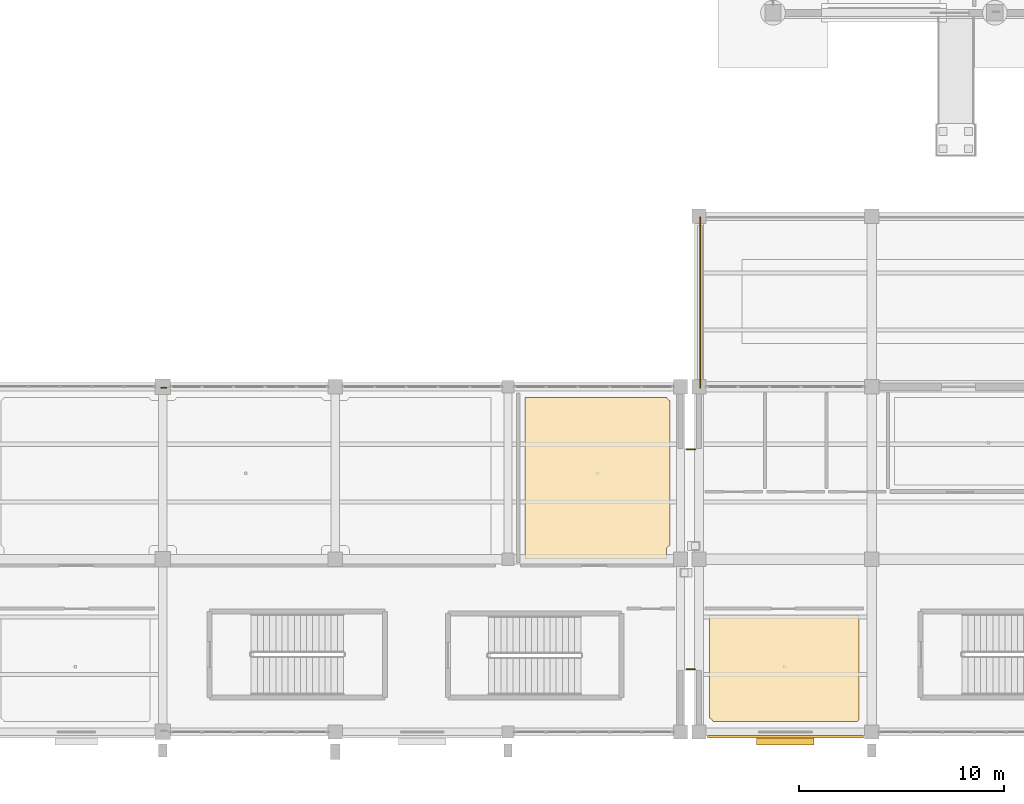
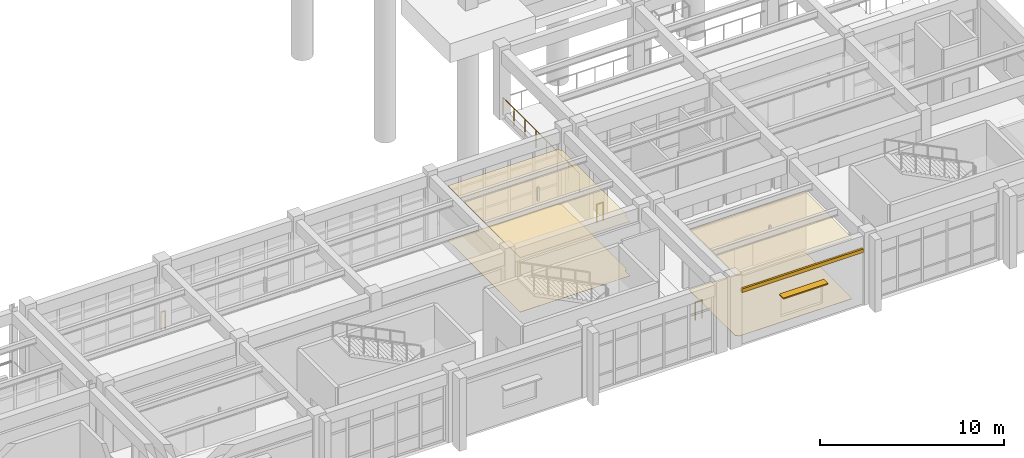
# One storey, part 89 of 98: 5 coverings, 4 railings, 1 shading device.
"""IFC4 building model written with IfcOpenShell, lengths in metres."""

from ifc_helpers import new_model, si_unit, direction, frame, origin, origin_2d, place, context, subcontext, project, spatial, polyline, rectangle, circle, outline, extrude, material, layer, layer_set, type_object, element, save


model = new_model("IFC4")

# Units and contexts
model_context = context("Model", 3, precision=1e-05, world=origin(), true_north=direction((0.0, 1.0)))
body_context = subcontext(model_context, "Body", "Model", "MODEL_VIEW")
ifc_project = project(units=[si_unit("LENGTHUNIT", "METRE"), si_unit("AREAUNIT", "SQUARE_METRE"), si_unit("VOLUMEUNIT", "CUBIC_METRE"), si_unit("PLANEANGLEUNIT", "RADIAN"), si_unit("MASSUNIT", "GRAM", prefix="KILO")], contexts=[model_context])

# Site, building, storey
site_placement = place(None, origin())
site = spatial("IfcSite", under=ifc_project, at=site_placement, CompositionType="ELEMENT")
building_placement = place(site_placement, origin())
building = spatial("IfcBuilding", under=site, at=building_placement, Name="Canglan Escarpment Cableway Terminal", CompositionType="ELEMENT")
storey_placement = place(building_placement, frame((0.0, 0.0, 9.60009765625)))
storey = spatial("IfcBuildingStorey", under=building, at=storey_placement, Name="L02", CompositionType="ELEMENT", Elevation=9.60009765625)

# Coverings
ifc_material_1 = material(Name="Micro-perforated acoustic aluminium ceiling", Category="aluminium")
ifc_layer_1 = layer(ifc_material_1, 0.0400390625, Name="Micro-perforated acoustic aluminium ceiling")
ifc_layer_set_1 = layer_set([ifc_layer_1], Name="Micro-perforated acoustic aluminium ceiling")
covering_type_1 = type_object("IfcCoveringType", Name="COV-CEIL-ACOUSTIC-40", PredefinedType="CEILING", material=ifc_layer_set_1)
covering_1_placement = place(storey_placement, frame((0.0, 0.0, 3.599853515625)))
element("IfcCovering", 1, at=covering_1_placement, inside=storey, type_object=covering_type_1, Name="Staff Changing and Welfare Suite suspended acoustic ceiling", PredefinedType="CEILING", context=body_context, shape_type="SweptSolid", body=[
    extrude(outline(polyline([(109.9140625, 24.280029296875), (109.916015625, 24.27978515625), (109.917724609375, 24.279541015625), (109.919677734375, 24.279296875), (109.92138671875, 24.278564453125), (109.923095703125, 24.27783203125), (109.9248046875, 24.27685546875), (109.92626953125, 24.27587890625), (109.927734375, 24.274658203125), (109.928955078125, 24.273193359375), (109.93017578125, 24.271728515625), (109.93115234375, 24.270263671875), (109.93212890625, 24.2685546875), (109.932861328125, 24.2666015625), (109.9365234375, 24.25634765625), (109.93701171875, 24.25537109375), (109.94580078125, 24.23681640625), (109.9462890625, 24.23583984375), (109.956787109375, 24.21826171875), (109.95751953125, 24.21728515625), (109.969482421875, 24.20068359375), (109.97021484375, 24.2001953125), (109.984130859375, 24.184814453125), (109.98486328125, 24.18408203125), (110.0, 24.17041015625), (110.000732421875, 24.169677734375), (110.017333984375, 24.157470703125), (110.018310546875, 24.15673828125), (110.035888671875, 24.146240234375), (110.03662109375, 24.145751953125), (110.055419921875, 24.136962890625), (110.056396484375, 24.13671875), (110.066650390625, 24.1328125), (110.068603515625, 24.132080078125), (110.0703125, 24.131103515625), (110.07177734375, 24.130126953125), (110.0732421875, 24.12890625), (110.07470703125, 24.127685546875), (110.07568359375, 24.126220703125), (110.076904296875, 24.124755859375), (110.077880859375, 24.123046875), (110.07861328125, 24.121337890625), (110.0791015625, 24.11962890625), (110.07958984375, 24.117919921875), (110.079833984375, 24.115966796875), (110.080078125, 24.114013671875), (110.080078125, 17.0859375), (110.079833984375, 17.083984375), (110.07958984375, 17.082275390625), (110.0791015625, 17.080322265625), (110.07861328125, 17.07861328125), (110.077880859375, 17.076904296875), (110.076904296875, 17.0751953125), (110.07568359375, 17.07373046875), (110.07470703125, 17.072265625), (110.0732421875, 17.071044921875), (110.07177734375, 17.06982421875), (110.0703125, 17.06884765625), (110.068603515625, 17.06787109375), (110.066650390625, 17.067138671875), (110.056396484375, 17.0634765625), (110.055419921875, 17.06298828125), (110.03662109375, 17.05419921875), (110.035888671875, 17.0537109375), (110.018310546875, 17.043212890625), (110.017333984375, 17.04248046875), (110.000732421875, 17.030517578125), (110.0, 17.02978515625), (109.98486328125, 17.015869140625), (109.984130859375, 17.01513671875), (109.97021484375, 17.0), (109.969482421875, 16.999267578125), (109.95751953125, 16.982666015625), (109.956787109375, 16.981689453125), (109.9462890625, 16.964111328125), (109.94580078125, 16.96337890625), (109.93701171875, 16.944580078125), (109.9365234375, 16.943603515625), (109.9296875, 16.92431640625), (109.929443359375, 16.92333984375), (109.92431640625, 16.9033203125), (109.92431640625, 16.90234375), (109.921142578125, 16.882080078125), (109.9208984375, 16.881103515625), (109.919921875, 16.860107421875), (109.919921875, 16.85986328125), (109.919921875, 16.43994140625), (109.919921875, 16.43798828125), (109.919677734375, 16.43603515625), (109.919189453125, 16.43408203125), (109.91845703125, 16.432373046875), (109.91748046875, 16.4306640625), (109.91650390625, 16.428955078125), (109.91552734375, 16.42724609375), (109.9140625, 16.42578125), (109.91259765625, 16.424560546875), (109.9111328125, 16.42333984375), (109.909423828125, 16.42236328125), (109.90771484375, 16.42138671875), (109.90576171875, 16.4208984375), (109.90380859375, 16.42041015625), (109.902099609375, 16.420166015625), (109.89990234375, 16.419921875), (103.0400390625, 16.419921875), (103.0380859375, 16.420166015625), (103.0361328125, 16.42041015625), (103.0341796875, 16.4208984375), (103.0322265625, 16.42138671875), (103.030517578125, 16.42236328125), (103.02880859375, 16.42333984375), (103.02734375, 16.424560546875), (103.02587890625, 16.42578125), (103.0244140625, 16.42724609375), (103.0234375, 16.428955078125), (103.0224609375, 16.4306640625), (103.021484375, 16.432373046875), (103.02099609375, 16.43408203125), (103.0205078125, 16.43603515625), (103.02001953125, 16.43798828125), (103.02001953125, 16.43994140625), (103.02001953125, 24.260009765625), (103.02001953125, 24.261962890625), (103.0205078125, 24.263916015625), (103.02099609375, 24.265869140625), (103.021484375, 24.267578125), (103.0224609375, 24.269287109375), (103.0234375, 24.27099609375), (103.0244140625, 24.272705078125), (103.02587890625, 24.274169921875), (103.02734375, 24.275390625), (103.02880859375, 24.276611328125), (103.030517578125, 24.277587890625), (103.0322265625, 24.278564453125), (103.0341796875, 24.279052734375), (103.0361328125, 24.279541015625), (103.0380859375, 24.27978515625), (103.0400390625, 24.280029296875), (109.9140625, 24.280029296875)])), origin(), (0.0, 0.0, 1.0), 0.0400390625),
])
covering_2_placement = place(storey_placement, frame((0.0, 0.0, 4.0)))
element("IfcCovering", 2, at=covering_2_placement, inside=storey, type_object=covering_type_1, Name="First Aid Station suspended acoustic ceiling", PredefinedType="CEILING", context=body_context, shape_type="SweptSolid", body=[
    extrude(outline(polyline([(112.033203125, 8.667236328125), (112.031494140625, 8.66796875), (112.02978515625, 8.668701171875), (112.0283203125, 8.669921875), (112.02685546875, 8.6708984375), (112.025390625, 8.67236328125), (112.024169921875, 8.673583984375), (112.023193359375, 8.67529296875), (112.022216796875, 8.677001953125), (112.021484375, 8.6787109375), (112.020751953125, 8.680419921875), (112.0205078125, 8.68212890625), (112.02001953125, 8.68408203125), (112.02001953125, 8.68603515625), (112.02001953125, 13.659912109375), (112.02001953125, 13.662109375), (112.0205078125, 13.663818359375), (112.02099609375, 13.665771484375), (112.021484375, 13.667724609375), (112.0224609375, 13.66943359375), (112.0234375, 13.671142578125), (112.0244140625, 13.672607421875), (112.02587890625, 13.674072265625), (112.02734375, 13.675537109375), (112.02880859375, 13.676513671875), (112.030517578125, 13.677490234375), (112.0322265625, 13.678466796875), (112.0341796875, 13.67919921875), (112.0361328125, 13.6796875), (112.0380859375, 13.679931640625), (112.0400390625, 13.679931640625), (119.260009765625, 13.679931640625), (119.261962890625, 13.679931640625), (119.263916015625, 13.6796875), (119.265869140625, 13.67919921875), (119.267578125, 13.678466796875), (119.269287109375, 13.677490234375), (119.27099609375, 13.676513671875), (119.272705078125, 13.675537109375), (119.274169921875, 13.674072265625), (119.275390625, 13.672607421875), (119.276611328125, 13.671142578125), (119.277587890625, 13.66943359375), (119.278564453125, 13.667724609375), (119.279052734375, 13.665771484375), (119.279541015625, 13.663818359375), (119.27978515625, 13.662109375), (119.280029296875, 13.659912109375), (119.280029296875, 8.618408203125), (119.27978515625, 8.6162109375), (119.279541015625, 8.6142578125), (119.279052734375, 8.6123046875), (119.2783203125, 8.610107421875), (119.27734375, 8.6083984375), (119.276123046875, 8.606689453125), (119.27490234375, 8.60498046875), (119.270263671875, 8.599853515625), (119.26953125, 8.59912109375), (119.25732421875, 8.58251953125), (119.2568359375, 8.581787109375), (119.24609375, 8.564208984375), (119.245849609375, 8.563232421875), (119.237060546875, 8.544677734375), (119.236572265625, 8.543701171875), (119.23291015625, 8.533203125), (119.232177734375, 8.531494140625), (119.231201171875, 8.52978515625), (119.230224609375, 8.5283203125), (119.22900390625, 8.52685546875), (119.227783203125, 8.525390625), (119.226318359375, 8.524169921875), (119.224609375, 8.523193359375), (119.22314453125, 8.522216796875), (119.221435546875, 8.521484375), (119.219482421875, 8.520751953125), (119.2177734375, 8.5205078125), (119.2158203125, 8.52001953125), (119.214111328125, 8.52001953125), (112.18603515625, 8.52001953125), (112.18408203125, 8.52001953125), (112.18212890625, 8.5205078125), (112.180419921875, 8.520751953125), (112.1787109375, 8.521484375), (112.177001953125, 8.522216796875), (112.17529296875, 8.523193359375), (112.173583984375, 8.524169921875), (112.17236328125, 8.525390625), (112.1708984375, 8.52685546875), (112.169921875, 8.5283203125), (112.168701171875, 8.52978515625), (112.16796875, 8.531494140625), (112.167236328125, 8.533203125), (112.163330078125, 8.543701171875), (112.1630859375, 8.544677734375), (112.154296875, 8.563232421875), (112.15380859375, 8.564208984375), (112.143310546875, 8.581787109375), (112.142578125, 8.58251953125), (112.13037109375, 8.59912109375), (112.129638671875, 8.599853515625), (112.115966796875, 8.615234375), (112.115234375, 8.615966796875), (112.099853515625, 8.629638671875), (112.09912109375, 8.63037109375), (112.08251953125, 8.642578125), (112.081787109375, 8.643310546875), (112.064208984375, 8.65380859375), (112.063232421875, 8.654296875), (112.044677734375, 8.6630859375), (112.043701171875, 8.663330078125), (112.033203125, 8.667236328125)])), origin(), (0.0, 0.0, 1.0), 0.039794921875),
])
ifc_material_2 = material(Name="Carved classical limestone cornice", Category="masonry")
ifc_layer_2 = layer(ifc_material_2, 0.1201171875, Name="Carved classical limestone cornice")
ifc_layer_set_2 = layer_set([ifc_layer_2], Name="Carved classical limestone cornice")
covering_type_2 = type_object("IfcCoveringType", Name="COV-CORNICE-STONE", PredefinedType="CLADDING", material=ifc_layer_set_2)
covering_3_placement = place(storey_placement, frame((115.699951171875, 7.760009765625, 3.4951171875), z_axis=(0.0, 0.0, 1.0), x_axis=(1.0, 0.0, 0.0)))
element("IfcCovering", 3, at=covering_3_placement, inside=storey, type_object=covering_type_2, Name="Classical carved limestone cornice CL-01", PredefinedType="CLADDING", context=body_context, shape_type="SweptSolid", body=[
    extrude(rectangle(XDim=7.60009765625, YDim=0.1201171875, at=origin_2d()), origin(), (0.0, 0.0, 1.0), 0.239990234375),
])
ifc_material_3 = material(Name="Polished mineral terrazzo flooring", Category="concrete")
ifc_layer_3 = layer(ifc_material_3, 0.02001953125, Name="Polished mineral terrazzo flooring")
ifc_layer_set_3 = layer_set([ifc_layer_3], Name="Polished mineral terrazzo flooring")
covering_type_3 = type_object("IfcCoveringType", Name="COV-FLR-TERRAZZO-20", PredefinedType="FLOORING", material=ifc_layer_set_3)
covering_4_placement = place(storey_placement, origin())
element("IfcCovering", 4, at=covering_4_placement, inside=storey, type_object=covering_type_3, Name="Staff Changing and Welfare Suite stone floor finish", PredefinedType="FLOORING", context=body_context, shape_type="SweptSolid", body=[
    extrude(outline(polyline([(109.9140625, 24.280029296875), (109.916015625, 24.27978515625), (109.917724609375, 24.279541015625), (109.919677734375, 24.279296875), (109.92138671875, 24.278564453125), (109.923095703125, 24.27783203125), (109.9248046875, 24.27685546875), (109.92626953125, 24.27587890625), (109.927734375, 24.274658203125), (109.928955078125, 24.273193359375), (109.93017578125, 24.271728515625), (109.93115234375, 24.270263671875), (109.93212890625, 24.2685546875), (109.932861328125, 24.2666015625), (109.9365234375, 24.25634765625), (109.93701171875, 24.25537109375), (109.94580078125, 24.23681640625), (109.9462890625, 24.23583984375), (109.956787109375, 24.21826171875), (109.95751953125, 24.21728515625), (109.969482421875, 24.20068359375), (109.97021484375, 24.2001953125), (109.984130859375, 24.184814453125), (109.98486328125, 24.18408203125), (110.0, 24.17041015625), (110.000732421875, 24.169677734375), (110.017333984375, 24.157470703125), (110.018310546875, 24.15673828125), (110.035888671875, 24.146240234375), (110.03662109375, 24.145751953125), (110.055419921875, 24.136962890625), (110.056396484375, 24.13671875), (110.066650390625, 24.1328125), (110.068603515625, 24.132080078125), (110.0703125, 24.131103515625), (110.07177734375, 24.130126953125), (110.0732421875, 24.12890625), (110.07470703125, 24.127685546875), (110.07568359375, 24.126220703125), (110.076904296875, 24.124755859375), (110.077880859375, 24.123046875), (110.07861328125, 24.121337890625), (110.0791015625, 24.11962890625), (110.07958984375, 24.117919921875), (110.079833984375, 24.115966796875), (110.080078125, 24.114013671875), (110.080078125, 17.0859375), (110.079833984375, 17.083984375), (110.07958984375, 17.082275390625), (110.0791015625, 17.080322265625), (110.07861328125, 17.07861328125), (110.077880859375, 17.076904296875), (110.076904296875, 17.0751953125), (110.07568359375, 17.07373046875), (110.07470703125, 17.072265625), (110.0732421875, 17.071044921875), (110.07177734375, 17.06982421875), (110.0703125, 17.06884765625), (110.068603515625, 17.06787109375), (110.066650390625, 17.067138671875), (110.056396484375, 17.0634765625), (110.055419921875, 17.06298828125), (110.03662109375, 17.05419921875), (110.035888671875, 17.0537109375), (110.018310546875, 17.043212890625), (110.017333984375, 17.04248046875), (110.000732421875, 17.030517578125), (110.0, 17.02978515625), (109.98486328125, 17.015869140625), (109.984130859375, 17.01513671875), (109.97021484375, 17.0), (109.969482421875, 16.999267578125), (109.95751953125, 16.982666015625), (109.956787109375, 16.981689453125), (109.9462890625, 16.964111328125), (109.94580078125, 16.96337890625), (109.93701171875, 16.944580078125), (109.9365234375, 16.943603515625), (109.9296875, 16.92431640625), (109.929443359375, 16.92333984375), (109.92431640625, 16.9033203125), (109.92431640625, 16.90234375), (109.921142578125, 16.882080078125), (109.9208984375, 16.881103515625), (109.919921875, 16.860107421875), (109.919921875, 16.85986328125), (109.919921875, 16.43994140625), (109.919921875, 16.43798828125), (109.919677734375, 16.43603515625), (109.919189453125, 16.43408203125), (109.91845703125, 16.432373046875), (109.91748046875, 16.4306640625), (109.91650390625, 16.428955078125), (109.91552734375, 16.42724609375), (109.9140625, 16.42578125), (109.91259765625, 16.424560546875), (109.9111328125, 16.42333984375), (109.909423828125, 16.42236328125), (109.90771484375, 16.42138671875), (109.90576171875, 16.4208984375), (109.90380859375, 16.42041015625), (109.902099609375, 16.420166015625), (109.89990234375, 16.419921875), (103.0400390625, 16.419921875), (103.0380859375, 16.420166015625), (103.0361328125, 16.42041015625), (103.0341796875, 16.4208984375), (103.0322265625, 16.42138671875), (103.030517578125, 16.42236328125), (103.02880859375, 16.42333984375), (103.02734375, 16.424560546875), (103.02587890625, 16.42578125), (103.0244140625, 16.42724609375), (103.0234375, 16.428955078125), (103.0224609375, 16.4306640625), (103.021484375, 16.432373046875), (103.02099609375, 16.43408203125), (103.0205078125, 16.43603515625), (103.02001953125, 16.43798828125), (103.02001953125, 16.43994140625), (103.02001953125, 24.260009765625), (103.02001953125, 24.261962890625), (103.0205078125, 24.263916015625), (103.02099609375, 24.265869140625), (103.021484375, 24.267578125), (103.0224609375, 24.269287109375), (103.0234375, 24.27099609375), (103.0244140625, 24.272705078125), (103.02587890625, 24.274169921875), (103.02734375, 24.275390625), (103.02880859375, 24.276611328125), (103.030517578125, 24.277587890625), (103.0322265625, 24.278564453125), (103.0341796875, 24.279052734375), (103.0361328125, 24.279541015625), (103.0380859375, 24.27978515625), (103.0400390625, 24.280029296875), (109.9140625, 24.280029296875)])), origin(), (0.0, 0.0, 1.0), 0.02001953125),
])
covering_5_placement = place(storey_placement, origin())
element("IfcCovering", 5, at=covering_5_placement, inside=storey, type_object=covering_type_3, Name="First Aid Station stone floor finish", PredefinedType="FLOORING", context=body_context, shape_type="SweptSolid", body=[
    extrude(outline(polyline([(112.033203125, 8.667236328125), (112.031494140625, 8.66796875), (112.02978515625, 8.668701171875), (112.0283203125, 8.669921875), (112.02685546875, 8.6708984375), (112.025390625, 8.67236328125), (112.024169921875, 8.673583984375), (112.023193359375, 8.67529296875), (112.022216796875, 8.677001953125), (112.021484375, 8.6787109375), (112.020751953125, 8.680419921875), (112.0205078125, 8.68212890625), (112.02001953125, 8.68408203125), (112.02001953125, 8.68603515625), (112.02001953125, 13.659912109375), (112.02001953125, 13.662109375), (112.0205078125, 13.663818359375), (112.02099609375, 13.665771484375), (112.021484375, 13.667724609375), (112.0224609375, 13.66943359375), (112.0234375, 13.671142578125), (112.0244140625, 13.672607421875), (112.02587890625, 13.674072265625), (112.02734375, 13.675537109375), (112.02880859375, 13.676513671875), (112.030517578125, 13.677490234375), (112.0322265625, 13.678466796875), (112.0341796875, 13.67919921875), (112.0361328125, 13.6796875), (112.0380859375, 13.679931640625), (112.0400390625, 13.679931640625), (119.260009765625, 13.679931640625), (119.261962890625, 13.679931640625), (119.263916015625, 13.6796875), (119.265869140625, 13.67919921875), (119.267578125, 13.678466796875), (119.269287109375, 13.677490234375), (119.27099609375, 13.676513671875), (119.272705078125, 13.675537109375), (119.274169921875, 13.674072265625), (119.275390625, 13.672607421875), (119.276611328125, 13.671142578125), (119.277587890625, 13.66943359375), (119.278564453125, 13.667724609375), (119.279052734375, 13.665771484375), (119.279541015625, 13.663818359375), (119.27978515625, 13.662109375), (119.280029296875, 13.659912109375), (119.280029296875, 8.618408203125), (119.27978515625, 8.6162109375), (119.279541015625, 8.6142578125), (119.279052734375, 8.6123046875), (119.2783203125, 8.610107421875), (119.27734375, 8.6083984375), (119.276123046875, 8.606689453125), (119.27490234375, 8.60498046875), (119.270263671875, 8.599853515625), (119.26953125, 8.59912109375), (119.25732421875, 8.58251953125), (119.2568359375, 8.581787109375), (119.24609375, 8.564208984375), (119.245849609375, 8.563232421875), (119.237060546875, 8.544677734375), (119.236572265625, 8.543701171875), (119.23291015625, 8.533203125), (119.232177734375, 8.531494140625), (119.231201171875, 8.52978515625), (119.230224609375, 8.5283203125), (119.22900390625, 8.52685546875), (119.227783203125, 8.525390625), (119.226318359375, 8.524169921875), (119.224609375, 8.523193359375), (119.22314453125, 8.522216796875), (119.221435546875, 8.521484375), (119.219482421875, 8.520751953125), (119.2177734375, 8.5205078125), (119.2158203125, 8.52001953125), (119.214111328125, 8.52001953125), (112.18603515625, 8.52001953125), (112.18408203125, 8.52001953125), (112.18212890625, 8.5205078125), (112.180419921875, 8.520751953125), (112.1787109375, 8.521484375), (112.177001953125, 8.522216796875), (112.17529296875, 8.523193359375), (112.173583984375, 8.524169921875), (112.17236328125, 8.525390625), (112.1708984375, 8.52685546875), (112.169921875, 8.5283203125), (112.168701171875, 8.52978515625), (112.16796875, 8.531494140625), (112.167236328125, 8.533203125), (112.163330078125, 8.543701171875), (112.1630859375, 8.544677734375), (112.154296875, 8.563232421875), (112.15380859375, 8.564208984375), (112.143310546875, 8.581787109375), (112.142578125, 8.58251953125), (112.13037109375, 8.59912109375), (112.129638671875, 8.599853515625), (112.115966796875, 8.615234375), (112.115234375, 8.615966796875), (112.099853515625, 8.629638671875), (112.09912109375, 8.63037109375), (112.08251953125, 8.642578125), (112.081787109375, 8.643310546875), (112.064208984375, 8.65380859375), (112.063232421875, 8.654296875), (112.044677734375, 8.6630859375), (112.043701171875, 8.663330078125), (112.033203125, 8.667236328125)])), origin(), (0.0, 0.0, 1.0), 0.02001953125),
])

# Railings
ifc_material_4 = material(Name="Carved limestone and anodized bronze balustrade", Category="masonry")
railing_type = type_object("IfcRailingType", Name="RL-EXT-BALUSTRADE-1200", PredefinedType="BALUSTRADE", material=ifc_material_4)
railing_1_placement = place(storey_placement, frame((85.31494140625, 24.75, 0.0)))
element("IfcRailing", 6, at=railing_1_placement, inside=storey, type_object=railing_type, Name="Classical terrace balustrade guard GD-01 (L02)", PredefinedType="BALUSTRADE", context=body_context, shape_type="SweptSolid", body=[
    extrude(circle(Radius=0.02392578125, at=origin_2d()), frame((0.0, 0.0, 1.17578125), z_axis=(1.0, 0.0, 0.0), x_axis=(0.0, 1.0, 0.0)), (0.0, 0.0, 1.0), 0.27001953125),
    extrude(circle(Radius=0.02099609375, at=origin_2d()), origin(), (0.0, 0.0, 1.0), 1.15185546875),
    extrude(circle(Radius=0.02099609375, at=origin_2d()), frame((0.27001953125, 0.0, 0.0)), (0.0, 0.0, 1.0), 1.15185546875),
])
railing_2_placement = place(storey_placement, frame((110.889892578125, 21.75, 0.0)))
element("IfcRailing", 7, at=railing_2_placement, inside=storey, type_object=railing_type, Name="Classical terrace balustrade guard GD-01 (L02)", PredefinedType="BALUSTRADE", context=body_context, shape_type="SweptSolid", body=[
    extrude(circle(Radius=0.02392578125, at=origin_2d()), frame((0.0, 0.0, 1.17578125), z_axis=(1.0, 0.0, 0.0), x_axis=(0.0, 1.0, 0.0)), (0.0, 0.0, 1.0), 0.420166015625),
    extrude(circle(Radius=0.02099609375, at=origin_2d()), origin(), (0.0, 0.0, 1.0), 1.15185546875),
    extrude(circle(Radius=0.02099609375, at=origin_2d()), frame((0.420166015625, 0.0, 0.0)), (0.0, 0.0, 1.0), 1.15185546875),
])
railing_3_placement = place(storey_placement, frame((111.550048828125, 24.739990234375, 0.0)))
element("IfcRailing", 8, at=railing_3_placement, inside=storey, type_object=railing_type, Name="Classical terrace balustrade guard GD-01 (L02)", PredefinedType="BALUSTRADE", context=body_context, shape_type="SweptSolid", body=[
    extrude(circle(Radius=0.02392578125, at=origin_2d()), frame((0.0, 0.0, 1.17578125), z_axis=(0.0, 1.0, 0.0), x_axis=(-1.0, 0.0, 0.0)), (0.0, 0.0, 1.0), 8.30810546875),
    extrude(circle(Radius=0.02099609375, at=origin_2d()), origin(), (0.0, 0.0, 1.0), 1.15185546875),
    extrude(circle(Radius=0.02099609375, at=origin_2d()), frame((0.0, 1.186767578125, 0.0)), (0.0, 0.0, 1.0), 1.15185546875),
    extrude(circle(Radius=0.02099609375, at=origin_2d()), frame((0.0, 2.373779296875, 0.0)), (0.0, 0.0, 1.0), 1.15185546875),
    extrude(circle(Radius=0.02099609375, at=origin_2d()), frame((0.0, 3.560546875, 0.0)), (0.0, 0.0, 1.0), 1.15185546875),
    extrude(circle(Radius=0.02099609375, at=origin_2d()), frame((0.0, 4.74755859375, 0.0)), (0.0, 0.0, 1.0), 1.15185546875),
    extrude(circle(Radius=0.02099609375, at=origin_2d()), frame((0.0, 5.934326171875, 0.0)), (0.0, 0.0, 1.0), 1.15185546875),
    extrude(circle(Radius=0.02099609375, at=origin_2d()), frame((0.0, 7.121337890625, 0.0)), (0.0, 0.0, 1.0), 1.15185546875),
    extrude(circle(Radius=0.02099609375, at=origin_2d()), frame((0.0, 8.30810546875, 0.0)), (0.0, 0.0, 1.0), 1.15185546875),
])
railing_4_placement = place(storey_placement, frame((111.31005859375, 11.050048828125, 0.0)))
element("IfcRailing", 9, at=railing_4_placement, inside=storey, type_object=railing_type, Name="Classical terrace balustrade guard GD-01 (L02)", PredefinedType="BALUSTRADE", context=body_context, shape_type="SweptSolid", body=[
    extrude(circle(Radius=0.02392578125, at=origin_2d()), frame((0.0, 0.0, 1.17578125), z_axis=(-1.0, 0.0, 0.0), x_axis=(0.0, -1.0, 0.0)), (0.0, 0.0, 1.0), 0.420166015625),
    extrude(circle(Radius=0.02099609375, at=origin_2d()), origin(), (0.0, 0.0, 1.0), 1.15185546875),
    extrude(circle(Radius=0.02099609375, at=origin_2d()), frame((-0.420166015625, 0.0, 0.0)), (0.0, 0.0, 1.0), 1.15185546875),
])

# Shading device
ifc_material_5 = material(Name="Anodized architectural bronze aluminium", Category="aluminium")
ifc_layer_4 = layer(ifc_material_5, 0.080078125, Name="Anodized architectural bronze aluminium")
ifc_layer_set_4 = layer_set([ifc_layer_4], Name="Anodized architectural bronze aluminium")
shading_device_type = type_object("IfcShadingDeviceType", Name="SHD-BRONZE-LOUVRE-01", PredefinedType="JALOUSIE", material=ifc_layer_set_4)
shading_device_placement = place(storey_placement, frame((115.699951171875, 7.594970703125, 2.419921875), z_axis=(0.0, 0.0, 1.0), x_axis=(1.0, 0.0, 0.0)))
element("IfcShadingDevice", 10, at=shading_device_placement, inside=storey, type_object=shading_device_type, Name="Anodized bronze sun-shading brise-soleil SD-01", PredefinedType="JALOUSIE", context=body_context, shape_type="SweptSolid", body=[
    extrude(rectangle(XDim=2.800048828125, YDim=0.449951171875, at=origin_2d()), origin(), (0.0, 0.0, 1.0), 0.080078125),
])

save(model, "model.ifc")
